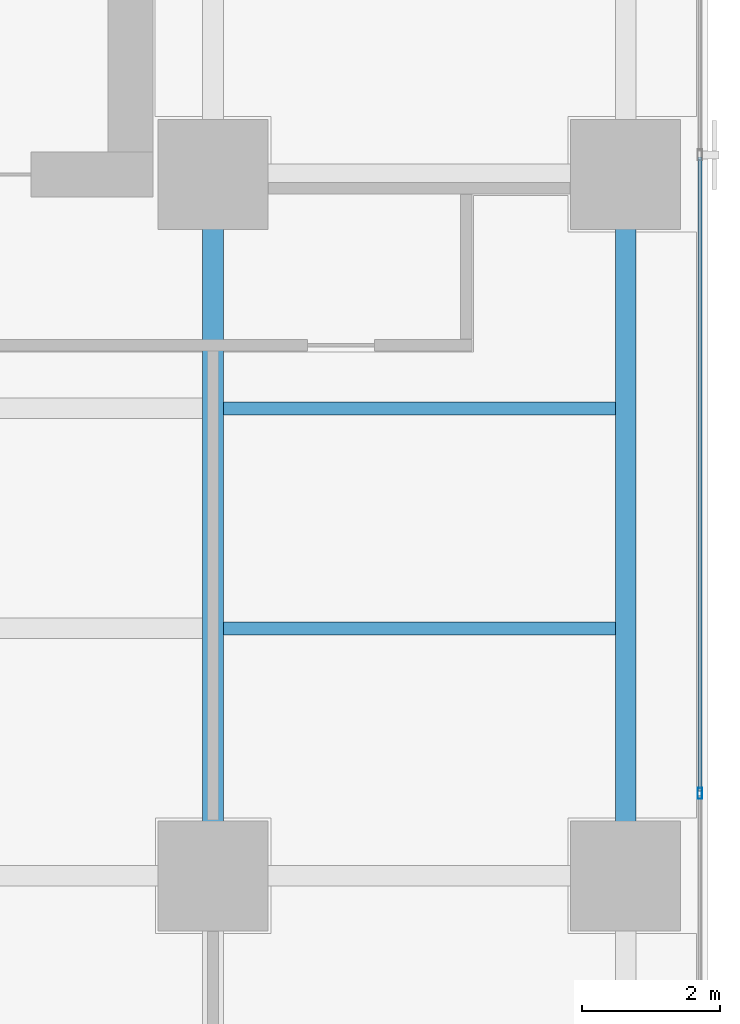
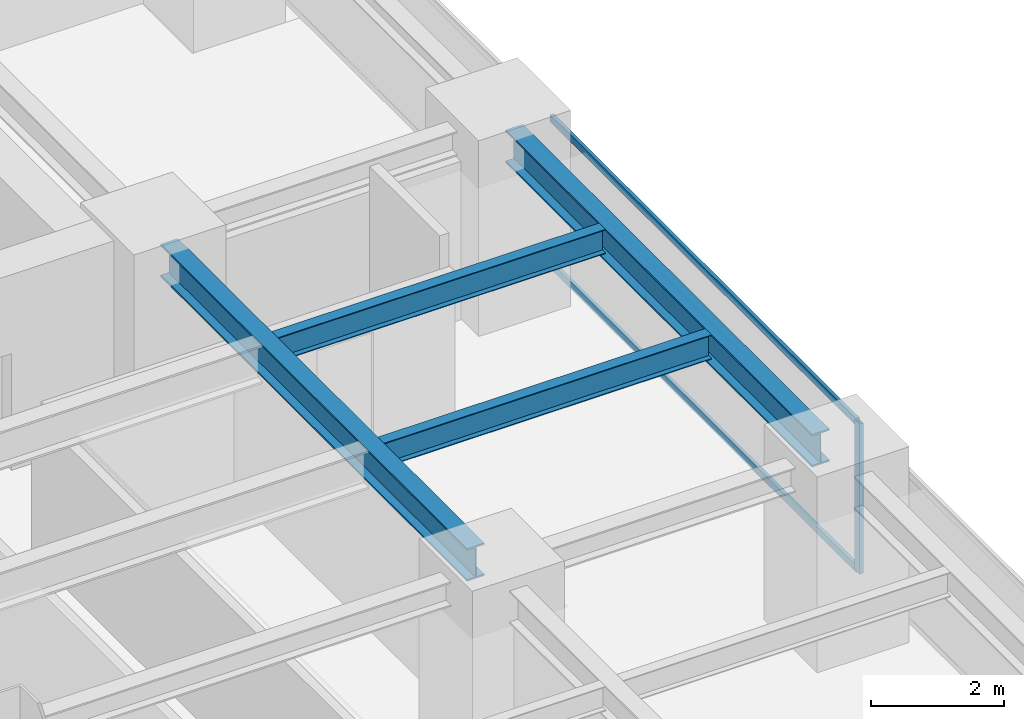
# One storey, part 13 of 27: 4 beams, 3 members, 1 element without a shape of its own.
"""IFC4 building model written with IfcOpenShell, lengths in metres."""

from ifc_helpers import new_model, si_unit, direction, frame, origin, origin_2d, place, context, subcontext, project, spatial, hollow_rectangle, i_section, extrude, source, transform, mapped, material, layer, layer_set, material_profile, profile_set, type_object, element, aggregate, save


model = new_model("IFC4")

# Units and contexts
model_context = context("Model", 3, precision=1e-05, world=origin(), true_north=direction((0.0, 1.0)))
body_context = subcontext(model_context, "Body", "Model", "MODEL_VIEW")
ifc_project = project(units=[si_unit("LENGTHUNIT", "METRE"), si_unit("AREAUNIT", "SQUARE_METRE"), si_unit("VOLUMEUNIT", "CUBIC_METRE"), si_unit("PLANEANGLEUNIT", "RADIAN"), si_unit("MASSUNIT", "GRAM", prefix="KILO")], contexts=[model_context])

# Site, building, storey
site_placement = place(None, origin())
site = spatial("IfcSite", under=ifc_project, at=site_placement, CompositionType="ELEMENT")
building_placement = place(site_placement, origin())
building = spatial("IfcBuilding", under=site, at=building_placement, Name="Sumidabori Civic Tower", CompositionType="ELEMENT")
storey_placement = place(building_placement, frame((0.0, 0.0, 160.39990234375)))
storey = spatial("IfcBuildingStorey", under=building, at=storey_placement, Name="L41", CompositionType="ELEMENT", Elevation=160.39990234375)

# Beams
ifc_material_1 = material(Name="Steel SN490", Category="steel")
ifc_material_profile_1 = material_profile(ifc_material_1, i_section(OverallWidth=0.300048828125, OverallDepth=0.60009765625, WebThickness=0.015380859375, FlangeThickness=0.030029296875, at=origin_2d()), Name="HE 600 B")
ifc_profile_set_1 = profile_set([ifc_material_profile_1], Name="Steel SN490")
beam_type_1 = type_object("IfcBeamType", Name="BM-GIRD-600", PredefinedType="BEAM", material=ifc_profile_set_1)
shared_shape_1 = source(origin(), body_context, "Body", "SweptSolid", [
    extrude(i_section(OverallWidth=0.300048828125, OverallDepth=0.60009765625, WebThickness=0.015380859375, FlangeThickness=0.030029296875, at=origin_2d()), origin(), (0.0, 0.0, 1.0), 9.239990234375),
])
for number, where, z_axis, x_axis, name in (
    (1, (16.800048828125, 0.47998046875, 3.080078125), (0.0, 1.0, 0.0), (-1.0, 0.0, 0.0), "Primary Girder L41 GY-34"),
    (2, (22.800048828125, 0.47998046875, 3.080078125), (0.0, 1.0, 0.0), (-1.0, 0.0, 0.0), "Primary Girder L41 GY-37"),
):
    element("IfcBeam", number, at=place(storey_placement, frame(where, z_axis=z_axis, x_axis=x_axis)), inside=storey, type_object=beam_type_1, Name=name, PredefinedType="BEAM", context=body_context, shape_type="MappedRepresentation", body=[
        mapped(shared_shape_1, transform((0.0, 0.0, 0.0), x_axis=(1.0, 0.0, 0.0), y_axis=(0.0, 1.0, 0.0), z_axis=(0.0, 0.0, 1.0), scale=1.0)),
    ])
ifc_material_profile_2 = material_profile(ifc_material_1, i_section(OverallWidth=0.18994140625, OverallDepth=0.449951171875, WebThickness=0.009521484375, FlangeThickness=0.0146484375, at=origin_2d()), Name="IPE 450")
ifc_profile_set_2 = profile_set([ifc_material_profile_2], Name="Steel SN490")
beam_type_2 = type_object("IfcBeamType", Name="BM-JST-450", PredefinedType="JOIST", material=ifc_profile_set_2)
shared_shape_2 = source(origin(), body_context, "Body", "SweptSolid", [
    extrude(i_section(OverallWidth=0.18994140625, OverallDepth=0.449951171875, WebThickness=0.009521484375, FlangeThickness=0.0146484375, at=origin_2d()), origin(), (0.0, 0.0, 1.0), 5.699951171875),
])
for number, where, z_axis, x_axis, name in (
    (3, (16.949951171875, 3.60009765625, 3.155029296875), (1.0, 0.0, 0.0), (0.0, 1.0, 0.0), "Outer Bay Floor Joist L41 JSTO-44"),
    (4, (16.949951171875, 6.800048828125, 3.155029296875), (1.0, 0.0, 0.0), (0.0, 1.0, 0.0), "Outer Bay Floor Joist L41 JSTO-46"),
):
    element("IfcBeam", number, at=place(storey_placement, frame(where, z_axis=z_axis, x_axis=x_axis)), inside=storey, type_object=beam_type_2, Name=name, PredefinedType="JOIST", context=body_context, shape_type="MappedRepresentation", body=[
        mapped(shared_shape_2, transform((0.0, 0.0, 0.0), x_axis=(1.0, 0.0, 0.0), y_axis=(0.0, 1.0, 0.0), z_axis=(0.0, 0.0, 1.0), scale=1.0)),
    ])

# Curtain wall, members
ifc_material_2 = material(Name="Anodised Bronze Aluminium AW-6063-T6", Category="aluminium")
ifc_layer = layer(ifc_material_2, 0.179931640625, Name="Anodised Bronze Aluminium AW-6063-T6")
ifc_layer_set = layer_set([ifc_layer], Name="Anodised Bronze Aluminium AW-6063-T6")
curtain_wall_type = type_object("IfcCurtainWallType", Name="CW-SYS-3", PredefinedType="NOTDEFINED", material=ifc_layer_set)
curtain_wall_placement = place(storey_placement, origin())
curtain_wall = element("IfcCurtainWall", 5, at=curtain_wall_placement, inside=storey, type_object=curtain_wall_type, Name="Curtain Wall CW:L41:R04", PredefinedType="NOTDEFINED")
ifc_material_profile_3 = material_profile(ifc_material_2, hollow_rectangle(XDim=0.06494140625, YDim=0.159912109375, WallThickness=0.0048828125, at=origin_2d()), Name="ALU MULLION 160x65")
ifc_profile_set_3 = profile_set([ifc_material_profile_3], Name="Anodised Bronze Aluminium AW-6063-T6")
member_type_1 = type_object("IfcMemberType", Name="CW-MUL-160", PredefinedType="MULLION", material=ifc_profile_set_3)
shared_shape_3 = source(origin(), body_context, "Body", "SweptSolid", [
    extrude(hollow_rectangle(XDim=0.06494140625, YDim=0.159912109375, WallThickness=0.0048828125, at=origin_2d()), origin(), (0.0, 0.0, 1.0), 2.760009765625),
])
member_1_placement = place(storey_placement, frame((23.8798828125, 1.199951171875, 0.0), z_axis=(0.0, 0.0, 1.0), x_axis=(-1.0, 0.0, 0.0)))
member_1 = element("IfcMember", 6, at=member_1_placement, type_object=member_type_1, Name="CW-3 mullion 3", PredefinedType="MULLION", context=body_context, shape_type="MappedRepresentation", body=[
    mapped(shared_shape_3, transform((0.0, 0.0, 0.0), x_axis=(1.0, 0.0, 0.0), y_axis=(0.0, 1.0, 0.0), z_axis=(0.0, 0.0, 1.0), scale=1.0)),
])
ifc_material_profile_4 = material_profile(ifc_material_2, hollow_rectangle(XDim=0.06005859375, YDim=0.1298828125, WallThickness=0.0048828125, at=origin_2d()), Name="ALU TRANSOM 130x60")
ifc_profile_set_4 = profile_set([ifc_material_profile_4], Name="Anodised Bronze Aluminium AW-6063-T6")
member_type_2 = type_object("IfcMemberType", Name="CW-TRN-130", PredefinedType="USERDEFINED", material=ifc_profile_set_4)
shared_shape_4 = source(origin(), body_context, "Body", "SweptSolid", [
    extrude(hollow_rectangle(XDim=0.06005859375, YDim=0.1298828125, WallThickness=0.0048828125, at=origin_2d()), origin(), (0.0, 0.0, 1.0), 9.219970703125),
])
member_2_placement = place(storey_placement, frame((23.8798828125, 1.232421875, 0.030029296875), z_axis=(0.0, 1.0, 0.0), x_axis=(-1.0, 0.0, 0.0)))
member_2 = element("IfcMember", 7, at=member_2_placement, type_object=member_type_2, Name="CW-3 transom 3.1", ObjectType="TRANSOM", PredefinedType="USERDEFINED", context=body_context, shape_type="MappedRepresentation", body=[
    mapped(shared_shape_4, transform((0.0, 0.0, 0.0), x_axis=(1.0, 0.0, 0.0), y_axis=(0.0, 1.0, 0.0), z_axis=(0.0, 0.0, 1.0), scale=1.0)),
])
member_3_placement = place(storey_placement, frame((23.8798828125, 1.232421875, 2.72998046875), z_axis=(0.0, 1.0, 0.0), x_axis=(-1.0, 0.0, 0.0)))
member_3 = element("IfcMember", 8, at=member_3_placement, type_object=member_type_2, Name="CW-3 transom 3.2", ObjectType="TRANSOM", PredefinedType="USERDEFINED", context=body_context, shape_type="MappedRepresentation", body=[
    mapped(shared_shape_4, transform((0.0, 0.0, 0.0), x_axis=(1.0, 0.0, 0.0), y_axis=(0.0, 1.0, 0.0), z_axis=(0.0, 0.0, 1.0), scale=1.0)),
])
aggregate(curtain_wall, [member_1, member_2, member_3])

save(model, "model.ifc")
